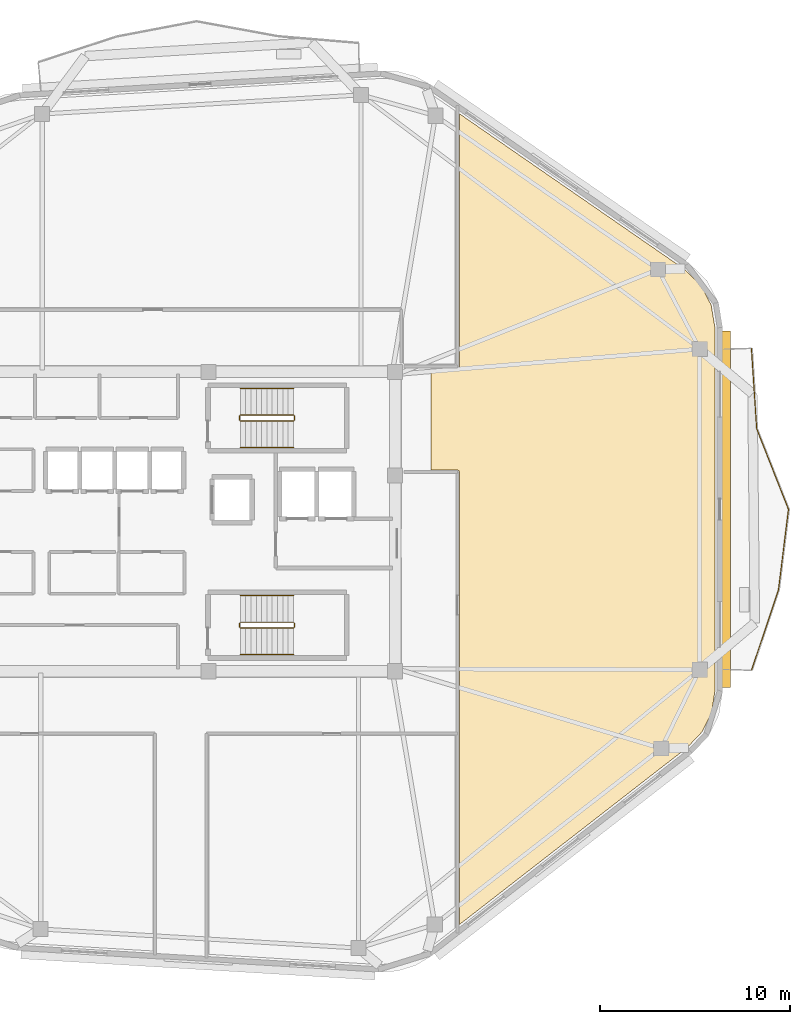
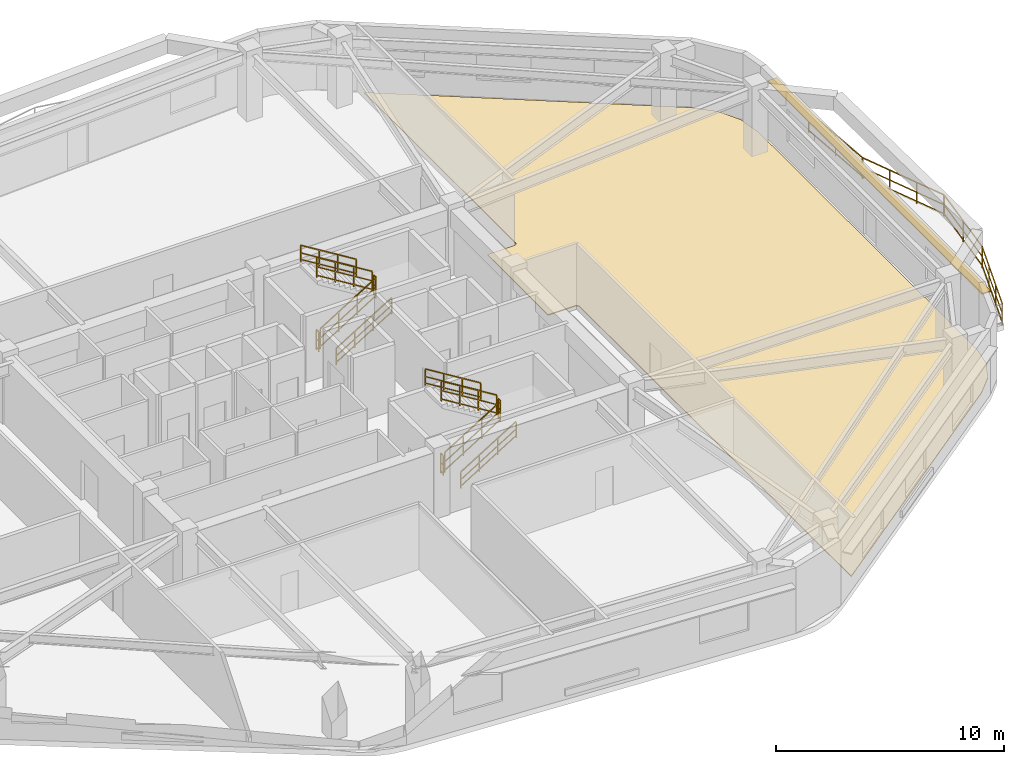
# One storey, part 8 of 9: 16 railings, 1 covering, 1 shading device.
"""IFC4 building model written with IfcOpenShell, lengths in metres."""

from ifc_helpers import new_model, si_unit, direction, frame, origin, origin_2d, place, context, subcontext, project, spatial, polyline, rectangle, outline, extrude, material, layer, layer_set, type_object, element, save


model = new_model("IFC4")

# Units and contexts
model_context = context("Model", 3, precision=1e-05, world=origin(), true_north=direction((0.0, 1.0)))
body_context = subcontext(model_context, "Body", "Model", "MODEL_VIEW")
ifc_project = project(units=[si_unit("LENGTHUNIT", "METRE"), si_unit("AREAUNIT", "SQUARE_METRE"), si_unit("VOLUMEUNIT", "CUBIC_METRE"), si_unit("PLANEANGLEUNIT", "RADIAN"), si_unit("MASSUNIT", "GRAM", prefix="KILO")], contexts=[model_context])

# Site, building, storey
site_placement = place(None, origin())
site = spatial("IfcSite", under=ifc_project, at=site_placement, CompositionType="ELEMENT")
building_placement = place(site_placement, origin())
building = spatial("IfcBuilding", under=site, at=building_placement, Name="Zulverin Broadcast Headquarters", CompositionType="ELEMENT")
storey_placement = place(building_placement, frame((0.0, 0.0, 244.0)))
storey = spatial("IfcBuildingStorey", under=building, at=storey_placement, Name="L62", CompositionType="ELEMENT", Elevation=244.0)

# Covering
ifc_material_1 = material(Name="Anti-static broadcast raised access flooring", Category="stone")
ifc_layer_1 = layer(ifc_material_1, 0.050048828125, Name="Anti-static broadcast raised access flooring", Category="stone")
ifc_layer_set_1 = layer_set([ifc_layer_1], Name="Anti-static broadcast raised access flooring")
covering_type = type_object("IfcCoveringType", Name="COV-FLR-RAISED", PredefinedType="FLOORING", material=ifc_layer_set_1)
covering_placement = place(storey_placement, origin())
element("IfcCovering", 1, at=covering_placement, inside=storey, type_object=covering_type, Name="L62 Broadcast Raised Access Flooring 02", PredefinedType="FLOORING", context=body_context, shape_type="SweptSolid", body=[
    extrude(outline(polyline([(51.60400390625, 33.260009765625), (51.592041015625, 33.251953125), (51.583984375, 33.248046875), (51.575927734375, 33.243896484375), (51.568115234375, 33.239990234375), (51.555908203125, 33.236083984375), (51.548095703125, 33.236083984375), (51.535888671875, 33.23193359375), (51.52392578125, 33.23193359375), (50.156005859375, 33.23193359375), (50.156005859375, 27.919921875), (51.52001953125, 27.919921875), (51.531982421875, 27.919921875), (51.5439453125, 27.916015625), (51.552001953125, 27.916015625), (51.56396484375, 27.912109375), (51.572021484375, 27.907958984375), (51.580078125, 27.904052734375), (51.587890625, 27.89990234375), (51.60009765625, 27.89208984375), (51.60791015625, 27.887939453125), (51.615966796875, 27.8798828125), (51.6240234375, 27.8720703125), (51.632080078125, 27.864013671875), (51.635986328125, 27.85595703125), (51.64794921875, 27.843994140625), (51.652099609375, 27.83203125), (51.659912109375, 27.820068359375), (51.6640625, 27.81201171875), (51.6640625, 27.800048828125), (51.66796875, 27.7919921875), (51.66796875, 27.783935546875), (51.672119140625, 27.77197265625), (51.672119140625, 27.760009765625), (51.672119140625, 4.008056640625), (63.64794921875, 13.31591796875), (64.43603515625, 14.14794921875), (64.927978515625, 15.152099609375), (65.10009765625, 16.2880859375), (65.10009765625, 35.39599609375), (64.904052734375, 36.592041015625), (64.35595703125, 37.64404296875), (63.47607421875, 38.488037109375), (51.66796875, 46.64794921875), (51.672119140625, 33.39208984375), (51.672119140625, 33.3798828125), (51.66796875, 33.367919921875), (51.66796875, 33.360107421875), (51.6640625, 33.35205078125), (51.6640625, 33.343994140625), (51.659912109375, 33.33203125), (51.656005859375, 33.323974609375), (51.652099609375, 33.31591796875), (51.64794921875, 33.30810546875), (51.639892578125, 33.2958984375), (51.635986328125, 33.2880859375), (51.6279296875, 33.280029296875), (51.6201171875, 33.27197265625), (51.612060546875, 33.263916015625), (51.60400390625, 33.260009765625)])), origin(), (0.0, 0.0, 1.0), 0.050048828125),
])

# Railings
ifc_material_2 = material(Name="Brushed stainless steel & laminated glass balustrade", Category="steel")
railing_type_1 = type_object("IfcRailingType", Name="RL-GUARD-1150", PredefinedType="GUARDRAIL", material=ifc_material_2)
railing_1_placement = place(storey_placement, frame((67.02490234375, 17.371826171875, 0.0)))
element("IfcRailing", 2, at=railing_1_placement, inside=storey, type_object=railing_type_1, Name="L62 Vertical-Forest Balcony Guardrail BAL_E Segment 02", PredefinedType="GUARDRAIL", context=body_context, shape_type="SweptSolid", body=[
    extrude(rectangle(XDim=0.048095703125, YDim=0.048095703125, at=origin_2d()), frame((0.0, 0.0, 1.1259765625), z_axis=(0.318204528211, 0.948022087415, 0.0), x_axis=(-0.948022087415, 0.318204528211, 0.0)), (0.0, 0.0, 1.0), 4.444580078125),
    extrude(rectangle(XDim=0.0419921875, YDim=0.0419921875, at=origin_2d()), frame((0.0, 0.0, 0.597900390625), z_axis=(0.318204528211, 0.948022087415, 0.0), x_axis=(-0.948022087415, 0.318204528211, 0.0)), (0.0, 0.0, 1.0), 4.444580078125),
    extrude(rectangle(XDim=0.0419921875, YDim=0.0419921875, at=origin_2d()), frame((0.0, 0.0, 0.1201171875), z_axis=(0.318204528211, 0.948022087415, 0.0), x_axis=(-0.948022087415, 0.318204528211, 0.0)), (0.0, 0.0, 1.0), 4.444580078125),
    extrude(rectangle(XDim=0.0419921875, YDim=0.0419921875, at=origin_2d()), origin(), (0.0, 0.0, 1.0), 1.101806640625),
    extrude(rectangle(XDim=0.0419921875, YDim=0.0419921875, at=origin_2d()), frame((0.471435546875, 1.404541015625, 0.0)), (0.0, 0.0, 1.0), 1.101806640625),
    extrude(rectangle(XDim=0.0419921875, YDim=0.0419921875, at=origin_2d()), frame((0.94287109375, 2.80908203125, 0.0)), (0.0, 0.0, 1.0), 1.101806640625),
    extrude(rectangle(XDim=0.0419921875, YDim=0.0419921875, at=origin_2d()), frame((1.414306640625, 4.213623046875, 0.0)), (0.0, 0.0, 1.0), 1.101806640625),
])
railing_2_placement = place(storey_placement, frame((68.44580078125, 21.614501953125, 0.0)))
element("IfcRailing", 3, at=railing_2_placement, inside=storey, type_object=railing_type_1, Name="L62 Vertical-Forest Balcony Guardrail BAL_E Segment 03", PredefinedType="GUARDRAIL", context=body_context, shape_type="SweptSolid", body=[
    extrude(rectangle(XDim=0.048095703125, YDim=0.048095703125, at=origin_2d()), frame((0.0, 0.0, 1.1259765625), z_axis=(0.123086092071, 0.992395996535, 0.0), x_axis=(-0.992395996535, 0.123086092071, 0.0)), (0.0, 0.0, 1.0), 4.24462890625),
    extrude(rectangle(XDim=0.0419921875, YDim=0.0419921875, at=origin_2d()), frame((0.0, 0.0, 0.597900390625), z_axis=(0.123086092071, 0.992395996535, 0.0), x_axis=(-0.992395996535, 0.123086092071, 0.0)), (0.0, 0.0, 1.0), 4.24462890625),
    extrude(rectangle(XDim=0.0419921875, YDim=0.0419921875, at=origin_2d()), frame((0.0, 0.0, 0.1201171875), z_axis=(0.123086092071, 0.992395996535, 0.0), x_axis=(-0.992395996535, 0.123086092071, 0.0)), (0.0, 0.0, 1.0), 4.24462890625),
    extrude(rectangle(XDim=0.0419921875, YDim=0.0419921875, at=origin_2d()), origin(), (0.0, 0.0, 1.0), 1.101806640625),
    extrude(rectangle(XDim=0.0419921875, YDim=0.0419921875, at=origin_2d()), frame((0.26123046875, 2.106201171875, 0.0)), (0.0, 0.0, 1.0), 1.101806640625),
    extrude(rectangle(XDim=0.0419921875, YDim=0.0419921875, at=origin_2d()), frame((0.5224609375, 4.21240234375, 0.0)), (0.0, 0.0, 1.0), 1.101806640625),
])
railing_3_placement = place(storey_placement, frame((68.964599609375, 25.855712890625, 0.0)))
element("IfcRailing", 4, at=railing_3_placement, inside=storey, type_object=railing_type_1, Name="L62 Vertical-Forest Balcony Guardrail BAL_E Segment 04", PredefinedType="GUARDRAIL", context=body_context, shape_type="SweptSolid", body=[
    extrude(rectangle(XDim=0.048095703125, YDim=0.048095703125, at=origin_2d()), frame((0.0, 0.0, 1.1259765625), z_axis=(-0.36683272189, 0.930286920337, 0.0), x_axis=(-0.930286920337, -0.36683272189, 0.0)), (0.0, 0.0, 1.0), 4.529541015625),
    extrude(rectangle(XDim=0.0419921875, YDim=0.0419921875, at=origin_2d()), frame((0.0, 0.0, 0.597900390625), z_axis=(-0.36683272189, 0.930286920337, 0.0), x_axis=(-0.930286920337, -0.36683272189, 0.0)), (0.0, 0.0, 1.0), 4.529541015625),
    extrude(rectangle(XDim=0.0419921875, YDim=0.0419921875, at=origin_2d()), frame((0.0, 0.0, 0.1201171875), z_axis=(-0.36683272189, 0.930286920337, 0.0), x_axis=(-0.930286920337, -0.36683272189, 0.0)), (0.0, 0.0, 1.0), 4.529541015625),
    extrude(rectangle(XDim=0.0419921875, YDim=0.0419921875, at=origin_2d()), origin(), (0.0, 0.0, 1.0), 1.101806640625),
    extrude(rectangle(XDim=0.0419921875, YDim=0.0419921875, at=origin_2d()), frame((-0.553955078125, 1.404541015625, 0.0)), (0.0, 0.0, 1.0), 1.101806640625),
    extrude(rectangle(XDim=0.0419921875, YDim=0.0419921875, at=origin_2d()), frame((-1.107666015625, 2.809326171875, 0.0)), (0.0, 0.0, 1.0), 1.101806640625),
    extrude(rectangle(XDim=0.0419921875, YDim=0.0419921875, at=origin_2d()), frame((-1.66162109375, 4.2138671875, 0.0)), (0.0, 0.0, 1.0), 1.101806640625),
])
railing_4_placement = place(storey_placement, frame((67.29638671875, 30.0986328125, 0.0)))
element("IfcRailing", 5, at=railing_4_placement, inside=storey, type_object=railing_type_1, Name="L62 Vertical-Forest Balcony Guardrail BAL_E Segment 05", PredefinedType="GUARDRAIL", context=body_context, shape_type="SweptSolid", body=[
    extrude(rectangle(XDim=0.048095703125, YDim=0.048095703125, at=origin_2d()), frame((0.0, 0.0, 1.1259765625), z_axis=(-0.065240645877, 0.997869559675, 0.0), x_axis=(-0.997869559675, -0.065240645877, 0.0)), (0.0, 0.0, 1.0), 4.22119140625),
    extrude(rectangle(XDim=0.0419921875, YDim=0.0419921875, at=origin_2d()), frame((0.0, 0.0, 0.597900390625), z_axis=(-0.065240645877, 0.997869559675, 0.0), x_axis=(-0.997869559675, -0.065240645877, 0.0)), (0.0, 0.0, 1.0), 4.22119140625),
    extrude(rectangle(XDim=0.0419921875, YDim=0.0419921875, at=origin_2d()), frame((0.0, 0.0, 0.1201171875), z_axis=(-0.065240645877, 0.997869559675, 0.0), x_axis=(-0.997869559675, -0.065240645877, 0.0)), (0.0, 0.0, 1.0), 4.22119140625),
    extrude(rectangle(XDim=0.0419921875, YDim=0.0419921875, at=origin_2d()), origin(), (0.0, 0.0, 1.0), 1.101806640625),
    extrude(rectangle(XDim=0.0419921875, YDim=0.0419921875, at=origin_2d()), frame((-0.1376953125, 2.10595703125, 0.0)), (0.0, 0.0, 1.0), 1.101806640625),
    extrude(rectangle(XDim=0.0419921875, YDim=0.0419921875, at=origin_2d()), frame((-0.275390625, 4.212158203125, 0.0)), (0.0, 0.0, 1.0), 1.101806640625),
])
ifc_material_3 = material(Name="Painted galvanized steel tubular guardrail S355JR", Category="steel")
railing_type_2 = type_object("IfcRailingType", Name="RL-ST-GUARD", PredefinedType="GUARDRAIL", material=ifc_material_3)
railing_5_placement = place(storey_placement, frame((40.1298828125, 30.5, 0.172607421875)))
element("IfcRailing", 6, at=railing_5_placement, inside=storey, type_object=railing_type_2, Name="L62 ST-1 stair guard 1", PredefinedType="GUARDRAIL", context=body_context, shape_type="SweptSolid", body=[
    extrude(rectangle(XDim=0.048095703125, YDim=0.048095703125, at=origin_2d()), frame((0.0, 0.0, 1.076171875), z_axis=(0.851089632645, 0.0, 0.525020415988), x_axis=(0.0, 1.0, 0.0)), (0.0, 0.0, 1.0), 3.2900390625),
    extrude(rectangle(XDim=0.0419921875, YDim=0.0419921875, at=origin_2d()), frame((0.0, 0.0, 0.572021484375), z_axis=(0.851089632645, 0.0, 0.525020415988), x_axis=(0.0, 1.0, 0.0)), (0.0, 0.0, 1.0), 3.2900390625),
    extrude(rectangle(XDim=0.0419921875, YDim=0.0419921875, at=origin_2d()), frame((0.0, 0.0, 0.1201171875), z_axis=(0.851089632645, 0.0, 0.525020415988), x_axis=(0.0, 1.0, 0.0)), (0.0, 0.0, 1.0), 3.2900390625),
    extrude(rectangle(XDim=0.0419921875, YDim=0.0419921875, at=origin_2d()), origin(), (0.0, 0.0, 1.0), 1.052001953125),
    extrude(rectangle(XDim=0.0419921875, YDim=0.0419921875, at=origin_2d()), frame((0.933349609375, 0.0, 0.57568359375)), (0.0, 0.0, 1.0), 1.052001953125),
    extrude(rectangle(XDim=0.0419921875, YDim=0.0419921875, at=origin_2d()), frame((1.86669921875, 0.0, 1.151611328125)), (0.0, 0.0, 1.0), 1.052001953125),
    extrude(rectangle(XDim=0.0419921875, YDim=0.0419921875, at=origin_2d()), frame((2.800048828125, 0.0, 1.727294921875)), (0.0, 0.0, 1.0), 1.052001953125),
])
railing_6_placement = place(storey_placement, frame((42.97998046875, 30.550048828125, 1.89990234375)))
element("IfcRailing", 7, at=railing_6_placement, inside=storey, type_object=railing_type_2, Name="L62 ST-1 stair guard 2", PredefinedType="GUARDRAIL", context=body_context, shape_type="SweptSolid", body=[
    extrude(rectangle(XDim=0.048095703125, YDim=0.048095703125, at=origin_2d()), frame((0.0, 0.0, 1.076171875), z_axis=(0.0, 1.0, 0.0), x_axis=(-1.0, 0.0, 0.0)), (0.0, 0.0, 1.0), 0.199951171875),
    extrude(rectangle(XDim=0.0419921875, YDim=0.0419921875, at=origin_2d()), frame((0.0, 0.0, 0.572021484375), z_axis=(0.0, 1.0, 0.0), x_axis=(-1.0, 0.0, 0.0)), (0.0, 0.0, 1.0), 0.199951171875),
    extrude(rectangle(XDim=0.0419921875, YDim=0.0419921875, at=origin_2d()), frame((0.0, 0.0, 0.1201171875), z_axis=(0.0, 1.0, 0.0), x_axis=(-1.0, 0.0, 0.0)), (0.0, 0.0, 1.0), 0.199951171875),
    extrude(rectangle(XDim=0.0419921875, YDim=0.0419921875, at=origin_2d()), origin(), (0.0, 0.0, 1.0), 1.052001953125),
    extrude(rectangle(XDim=0.0419921875, YDim=0.0419921875, at=origin_2d()), frame((0.0, 0.199951171875, 0.0)), (0.0, 0.0, 1.0), 1.052001953125),
])
railing_7_placement = place(storey_placement, frame((42.929931640625, 30.800048828125, 2.07275390625)))
element("IfcRailing", 8, at=railing_7_placement, inside=storey, type_object=railing_type_2, Name="L62 ST-1 stair guard 3", PredefinedType="GUARDRAIL", context=body_context, shape_type="SweptSolid", body=[
    extrude(rectangle(XDim=0.048095703125, YDim=0.048095703125, at=origin_2d()), frame((0.0, 0.0, 1.076171875), z_axis=(-0.851089632645, 0.0, 0.525020415988), x_axis=(0.0, -1.0, 0.0)), (0.0, 0.0, 1.0), 3.2900390625),
    extrude(rectangle(XDim=0.0419921875, YDim=0.0419921875, at=origin_2d()), frame((0.0, 0.0, 0.572021484375), z_axis=(-0.851089632645, 0.0, 0.525020415988), x_axis=(0.0, -1.0, 0.0)), (0.0, 0.0, 1.0), 3.2900390625),
    extrude(rectangle(XDim=0.0419921875, YDim=0.0419921875, at=origin_2d()), frame((0.0, 0.0, 0.1201171875), z_axis=(-0.851089632645, 0.0, 0.525020415988), x_axis=(0.0, -1.0, 0.0)), (0.0, 0.0, 1.0), 3.2900390625),
    extrude(rectangle(XDim=0.0419921875, YDim=0.0419921875, at=origin_2d()), origin(), (0.0, 0.0, 1.0), 1.052001953125),
    extrude(rectangle(XDim=0.0419921875, YDim=0.0419921875, at=origin_2d()), frame((-0.933349609375, 0.0, 0.57568359375)), (0.0, 0.0, 1.0), 1.052001953125),
    extrude(rectangle(XDim=0.0419921875, YDim=0.0419921875, at=origin_2d()), frame((-1.86669921875, 0.0, 1.151611328125)), (0.0, 0.0, 1.0), 1.052001953125),
    extrude(rectangle(XDim=0.0419921875, YDim=0.0419921875, at=origin_2d()), frame((-2.800048828125, 0.0, 1.727294921875)), (0.0, 0.0, 1.0), 1.052001953125),
])
railing_8_placement = place(storey_placement, frame((40.080078125, 30.550048828125, 0.0)))
element("IfcRailing", 9, at=railing_8_placement, inside=storey, type_object=railing_type_2, Name="L62 ST-1 stair guard 4", PredefinedType="GUARDRAIL", context=body_context, shape_type="SweptSolid", body=[
    extrude(rectangle(XDim=0.048095703125, YDim=0.048095703125, at=origin_2d()), frame((0.0, 0.0, 1.076171875), z_axis=(0.0, 1.0, 0.0), x_axis=(-1.0, 0.0, 0.0)), (0.0, 0.0, 1.0), 0.199951171875),
    extrude(rectangle(XDim=0.0419921875, YDim=0.0419921875, at=origin_2d()), frame((0.0, 0.0, 0.572021484375), z_axis=(0.0, 1.0, 0.0), x_axis=(-1.0, 0.0, 0.0)), (0.0, 0.0, 1.0), 0.199951171875),
    extrude(rectangle(XDim=0.0419921875, YDim=0.0419921875, at=origin_2d()), frame((0.0, 0.0, 0.1201171875), z_axis=(0.0, 1.0, 0.0), x_axis=(-1.0, 0.0, 0.0)), (0.0, 0.0, 1.0), 0.199951171875),
    extrude(rectangle(XDim=0.0419921875, YDim=0.0419921875, at=origin_2d()), origin(), (0.0, 0.0, 1.0), 1.052001953125),
    extrude(rectangle(XDim=0.0419921875, YDim=0.0419921875, at=origin_2d()), frame((0.0, 0.199951171875, 0.0)), (0.0, 0.0, 1.0), 1.052001953125),
])
railing_9_placement = place(storey_placement, frame((40.1298828125, 19.60009765625, 0.172607421875)))
element("IfcRailing", 10, at=railing_9_placement, inside=storey, type_object=railing_type_2, Name="L62 ST-2 stair guard 1", PredefinedType="GUARDRAIL", context=body_context, shape_type="SweptSolid", body=[
    extrude(rectangle(XDim=0.048095703125, YDim=0.048095703125, at=origin_2d()), frame((0.0, 0.0, 1.076171875), z_axis=(0.851089632645, 0.0, 0.525020415988), x_axis=(0.0, 1.0, 0.0)), (0.0, 0.0, 1.0), 3.2900390625),
    extrude(rectangle(XDim=0.0419921875, YDim=0.0419921875, at=origin_2d()), frame((0.0, 0.0, 0.572021484375), z_axis=(0.851089632645, 0.0, 0.525020415988), x_axis=(0.0, 1.0, 0.0)), (0.0, 0.0, 1.0), 3.2900390625),
    extrude(rectangle(XDim=0.0419921875, YDim=0.0419921875, at=origin_2d()), frame((0.0, 0.0, 0.1201171875), z_axis=(0.851089632645, 0.0, 0.525020415988), x_axis=(0.0, 1.0, 0.0)), (0.0, 0.0, 1.0), 3.2900390625),
    extrude(rectangle(XDim=0.0419921875, YDim=0.0419921875, at=origin_2d()), origin(), (0.0, 0.0, 1.0), 1.052001953125),
    extrude(rectangle(XDim=0.0419921875, YDim=0.0419921875, at=origin_2d()), frame((0.933349609375, 0.0, 0.57568359375)), (0.0, 0.0, 1.0), 1.052001953125),
    extrude(rectangle(XDim=0.0419921875, YDim=0.0419921875, at=origin_2d()), frame((1.86669921875, 0.0, 1.151611328125)), (0.0, 0.0, 1.0), 1.052001953125),
    extrude(rectangle(XDim=0.0419921875, YDim=0.0419921875, at=origin_2d()), frame((2.800048828125, 0.0, 1.727294921875)), (0.0, 0.0, 1.0), 1.052001953125),
])
railing_10_placement = place(storey_placement, frame((42.97998046875, 19.64990234375, 1.89990234375)))
element("IfcRailing", 11, at=railing_10_placement, inside=storey, type_object=railing_type_2, Name="L62 ST-2 stair guard 2", PredefinedType="GUARDRAIL", context=body_context, shape_type="SweptSolid", body=[
    extrude(rectangle(XDim=0.048095703125, YDim=0.048095703125, at=origin_2d()), frame((0.0, 0.0, 1.076171875), z_axis=(0.0, 1.0, 0.0), x_axis=(-1.0, 0.0, 0.0)), (0.0, 0.0, 1.0), 0.2001953125),
    extrude(rectangle(XDim=0.0419921875, YDim=0.0419921875, at=origin_2d()), frame((0.0, 0.0, 0.572021484375), z_axis=(0.0, 1.0, 0.0), x_axis=(-1.0, 0.0, 0.0)), (0.0, 0.0, 1.0), 0.2001953125),
    extrude(rectangle(XDim=0.0419921875, YDim=0.0419921875, at=origin_2d()), frame((0.0, 0.0, 0.1201171875), z_axis=(0.0, 1.0, 0.0), x_axis=(-1.0, 0.0, 0.0)), (0.0, 0.0, 1.0), 0.2001953125),
    extrude(rectangle(XDim=0.0419921875, YDim=0.0419921875, at=origin_2d()), origin(), (0.0, 0.0, 1.0), 1.052001953125),
    extrude(rectangle(XDim=0.0419921875, YDim=0.0419921875, at=origin_2d()), frame((0.0, 0.2001953125, 0.0)), (0.0, 0.0, 1.0), 1.052001953125),
])
railing_11_placement = place(storey_placement, frame((42.929931640625, 19.89990234375, 2.07275390625)))
element("IfcRailing", 12, at=railing_11_placement, inside=storey, type_object=railing_type_2, Name="L62 ST-2 stair guard 3", PredefinedType="GUARDRAIL", context=body_context, shape_type="SweptSolid", body=[
    extrude(rectangle(XDim=0.048095703125, YDim=0.048095703125, at=origin_2d()), frame((0.0, 0.0, 1.076171875), z_axis=(-0.851089632645, 0.0, 0.525020415988), x_axis=(0.0, -1.0, 0.0)), (0.0, 0.0, 1.0), 3.2900390625),
    extrude(rectangle(XDim=0.0419921875, YDim=0.0419921875, at=origin_2d()), frame((0.0, 0.0, 0.572021484375), z_axis=(-0.851089632645, 0.0, 0.525020415988), x_axis=(0.0, -1.0, 0.0)), (0.0, 0.0, 1.0), 3.2900390625),
    extrude(rectangle(XDim=0.0419921875, YDim=0.0419921875, at=origin_2d()), frame((0.0, 0.0, 0.1201171875), z_axis=(-0.851089632645, 0.0, 0.525020415988), x_axis=(0.0, -1.0, 0.0)), (0.0, 0.0, 1.0), 3.2900390625),
    extrude(rectangle(XDim=0.0419921875, YDim=0.0419921875, at=origin_2d()), origin(), (0.0, 0.0, 1.0), 1.052001953125),
    extrude(rectangle(XDim=0.0419921875, YDim=0.0419921875, at=origin_2d()), frame((-0.933349609375, 0.0, 0.57568359375)), (0.0, 0.0, 1.0), 1.052001953125),
    extrude(rectangle(XDim=0.0419921875, YDim=0.0419921875, at=origin_2d()), frame((-1.86669921875, 0.0, 1.151611328125)), (0.0, 0.0, 1.0), 1.052001953125),
    extrude(rectangle(XDim=0.0419921875, YDim=0.0419921875, at=origin_2d()), frame((-2.800048828125, 0.0, 1.727294921875)), (0.0, 0.0, 1.0), 1.052001953125),
])
railing_12_placement = place(storey_placement, frame((40.080078125, 19.64990234375, 0.0)))
element("IfcRailing", 13, at=railing_12_placement, inside=storey, type_object=railing_type_2, Name="L62 ST-2 stair guard 4", PredefinedType="GUARDRAIL", context=body_context, shape_type="SweptSolid", body=[
    extrude(rectangle(XDim=0.048095703125, YDim=0.048095703125, at=origin_2d()), frame((0.0, 0.0, 1.076171875), z_axis=(0.0, 1.0, 0.0), x_axis=(-1.0, 0.0, 0.0)), (0.0, 0.0, 1.0), 0.2001953125),
    extrude(rectangle(XDim=0.0419921875, YDim=0.0419921875, at=origin_2d()), frame((0.0, 0.0, 0.572021484375), z_axis=(0.0, 1.0, 0.0), x_axis=(-1.0, 0.0, 0.0)), (0.0, 0.0, 1.0), 0.2001953125),
    extrude(rectangle(XDim=0.0419921875, YDim=0.0419921875, at=origin_2d()), frame((0.0, 0.0, 0.1201171875), z_axis=(0.0, 1.0, 0.0), x_axis=(-1.0, 0.0, 0.0)), (0.0, 0.0, 1.0), 0.2001953125),
    extrude(rectangle(XDim=0.0419921875, YDim=0.0419921875, at=origin_2d()), origin(), (0.0, 0.0, 1.0), 1.052001953125),
    extrude(rectangle(XDim=0.0419921875, YDim=0.0419921875, at=origin_2d()), frame((0.0, 0.2001953125, 0.0)), (0.0, 0.0, 1.0), 1.052001953125),
])
ifc_material_4 = material(Name="Brushed stainless steel 48 mm handrail", Category="steel")
railing_type_3 = type_object("IfcRailingType", Name="RL-ST-HAND", PredefinedType="HANDRAIL", material=ifc_material_4)
railing_13_placement = place(storey_placement, frame((40.1298828125, 29.10009765625, 0.172607421875)))
element("IfcRailing", 14, at=railing_13_placement, inside=storey, type_object=railing_type_3, Name="L62 ST-1 stair handrail 1", PredefinedType="HANDRAIL", context=body_context, shape_type="SweptSolid", body=[
    extrude(rectangle(XDim=0.048095703125, YDim=0.048095703125, at=origin_2d()), frame((0.0, 0.0, 0.8759765625), z_axis=(0.851089632645, 0.0, 0.525020415988), x_axis=(0.0, 1.0, 0.0)), (0.0, 0.0, 1.0), 3.2900390625),
    extrude(rectangle(XDim=0.0419921875, YDim=0.0419921875, at=origin_2d()), frame((0.0, 0.0, 0.468017578125), z_axis=(0.851089632645, 0.0, 0.525020415988), x_axis=(0.0, 1.0, 0.0)), (0.0, 0.0, 1.0), 3.2900390625),
    extrude(rectangle(XDim=0.0419921875, YDim=0.0419921875, at=origin_2d()), frame((0.0, 0.0, 0.1201171875), z_axis=(0.851089632645, 0.0, 0.525020415988), x_axis=(0.0, 1.0, 0.0)), (0.0, 0.0, 1.0), 3.2900390625),
    extrude(rectangle(XDim=0.0419921875, YDim=0.0419921875, at=origin_2d()), origin(), (0.0, 0.0, 1.0), 0.851806640625),
    extrude(rectangle(XDim=0.0419921875, YDim=0.0419921875, at=origin_2d()), frame((0.933349609375, 0.0, 0.57568359375)), (0.0, 0.0, 1.0), 0.851806640625),
    extrude(rectangle(XDim=0.0419921875, YDim=0.0419921875, at=origin_2d()), frame((1.86669921875, 0.0, 1.151611328125)), (0.0, 0.0, 1.0), 0.851806640625),
    extrude(rectangle(XDim=0.0419921875, YDim=0.0419921875, at=origin_2d()), frame((2.800048828125, 0.0, 1.727294921875)), (0.0, 0.0, 1.0), 0.851806640625),
])
railing_14_placement = place(storey_placement, frame((42.929931640625, 32.199951171875, 2.07275390625)))
element("IfcRailing", 15, at=railing_14_placement, inside=storey, type_object=railing_type_3, Name="L62 ST-1 stair handrail 2", PredefinedType="HANDRAIL", context=body_context, shape_type="SweptSolid", body=[
    extrude(rectangle(XDim=0.048095703125, YDim=0.048095703125, at=origin_2d()), frame((0.0, 0.0, 0.8759765625), z_axis=(-0.851089632645, 0.0, 0.525020415988), x_axis=(0.0, -1.0, 0.0)), (0.0, 0.0, 1.0), 3.2900390625),
    extrude(rectangle(XDim=0.0419921875, YDim=0.0419921875, at=origin_2d()), frame((0.0, 0.0, 0.468017578125), z_axis=(-0.851089632645, 0.0, 0.525020415988), x_axis=(0.0, -1.0, 0.0)), (0.0, 0.0, 1.0), 3.2900390625),
    extrude(rectangle(XDim=0.0419921875, YDim=0.0419921875, at=origin_2d()), frame((0.0, 0.0, 0.1201171875), z_axis=(-0.851089632645, 0.0, 0.525020415988), x_axis=(0.0, -1.0, 0.0)), (0.0, 0.0, 1.0), 3.2900390625),
    extrude(rectangle(XDim=0.0419921875, YDim=0.0419921875, at=origin_2d()), origin(), (0.0, 0.0, 1.0), 0.851806640625),
    extrude(rectangle(XDim=0.0419921875, YDim=0.0419921875, at=origin_2d()), frame((-0.933349609375, 0.0, 0.57568359375)), (0.0, 0.0, 1.0), 0.851806640625),
    extrude(rectangle(XDim=0.0419921875, YDim=0.0419921875, at=origin_2d()), frame((-1.86669921875, 0.0, 1.151611328125)), (0.0, 0.0, 1.0), 0.851806640625),
    extrude(rectangle(XDim=0.0419921875, YDim=0.0419921875, at=origin_2d()), frame((-2.800048828125, 0.0, 1.727294921875)), (0.0, 0.0, 1.0), 0.851806640625),
])
railing_15_placement = place(storey_placement, frame((40.1298828125, 18.199951171875, 0.172607421875)))
element("IfcRailing", 16, at=railing_15_placement, inside=storey, type_object=railing_type_3, Name="L62 ST-2 stair handrail 1", PredefinedType="HANDRAIL", context=body_context, shape_type="SweptSolid", body=[
    extrude(rectangle(XDim=0.048095703125, YDim=0.048095703125, at=origin_2d()), frame((0.0, 0.0, 0.8759765625), z_axis=(0.851089632645, 0.0, 0.525020415988), x_axis=(0.0, 1.0, 0.0)), (0.0, 0.0, 1.0), 3.2900390625),
    extrude(rectangle(XDim=0.0419921875, YDim=0.0419921875, at=origin_2d()), frame((0.0, 0.0, 0.468017578125), z_axis=(0.851089632645, 0.0, 0.525020415988), x_axis=(0.0, 1.0, 0.0)), (0.0, 0.0, 1.0), 3.2900390625),
    extrude(rectangle(XDim=0.0419921875, YDim=0.0419921875, at=origin_2d()), frame((0.0, 0.0, 0.1201171875), z_axis=(0.851089632645, 0.0, 0.525020415988), x_axis=(0.0, 1.0, 0.0)), (0.0, 0.0, 1.0), 3.2900390625),
    extrude(rectangle(XDim=0.0419921875, YDim=0.0419921875, at=origin_2d()), origin(), (0.0, 0.0, 1.0), 0.851806640625),
    extrude(rectangle(XDim=0.0419921875, YDim=0.0419921875, at=origin_2d()), frame((0.933349609375, 0.0, 0.57568359375)), (0.0, 0.0, 1.0), 0.851806640625),
    extrude(rectangle(XDim=0.0419921875, YDim=0.0419921875, at=origin_2d()), frame((1.86669921875, 0.0, 1.151611328125)), (0.0, 0.0, 1.0), 0.851806640625),
    extrude(rectangle(XDim=0.0419921875, YDim=0.0419921875, at=origin_2d()), frame((2.800048828125, 0.0, 1.727294921875)), (0.0, 0.0, 1.0), 0.851806640625),
])
railing_16_placement = place(storey_placement, frame((42.929931640625, 21.300048828125, 2.07275390625)))
element("IfcRailing", 17, at=railing_16_placement, inside=storey, type_object=railing_type_3, Name="L62 ST-2 stair handrail 2", PredefinedType="HANDRAIL", context=body_context, shape_type="SweptSolid", body=[
    extrude(rectangle(XDim=0.048095703125, YDim=0.048095703125, at=origin_2d()), frame((0.0, 0.0, 0.8759765625), z_axis=(-0.851089632645, 0.0, 0.525020415988), x_axis=(0.0, -1.0, 0.0)), (0.0, 0.0, 1.0), 3.2900390625),
    extrude(rectangle(XDim=0.0419921875, YDim=0.0419921875, at=origin_2d()), frame((0.0, 0.0, 0.468017578125), z_axis=(-0.851089632645, 0.0, 0.525020415988), x_axis=(0.0, -1.0, 0.0)), (0.0, 0.0, 1.0), 3.2900390625),
    extrude(rectangle(XDim=0.0419921875, YDim=0.0419921875, at=origin_2d()), frame((0.0, 0.0, 0.1201171875), z_axis=(-0.851089632645, 0.0, 0.525020415988), x_axis=(0.0, -1.0, 0.0)), (0.0, 0.0, 1.0), 3.2900390625),
    extrude(rectangle(XDim=0.0419921875, YDim=0.0419921875, at=origin_2d()), origin(), (0.0, 0.0, 1.0), 0.851806640625),
    extrude(rectangle(XDim=0.0419921875, YDim=0.0419921875, at=origin_2d()), frame((-0.933349609375, 0.0, 0.57568359375)), (0.0, 0.0, 1.0), 0.851806640625),
    extrude(rectangle(XDim=0.0419921875, YDim=0.0419921875, at=origin_2d()), frame((-1.86669921875, 0.0, 1.151611328125)), (0.0, 0.0, 1.0), 0.851806640625),
    extrude(rectangle(XDim=0.0419921875, YDim=0.0419921875, at=origin_2d()), frame((-2.800048828125, 0.0, 1.727294921875)), (0.0, 0.0, 1.0), 0.851806640625),
])

# Shading device
ifc_material_5 = material(Name="Anodized pale-metal aluminium sunshade", Category="aluminium")
ifc_layer_2 = layer(ifc_material_5, 0.06005859375, Name="Anodized pale-metal aluminium sunshade", Category="aluminium")
ifc_layer_set_2 = layer_set([ifc_layer_2], Name="Anodized pale-metal aluminium sunshade")
shading_device_type = type_object("IfcShadingDeviceType", Name="SS-01_PALE_METAL_ALUMINIUM_SUNSHADE", PredefinedType="USERDEFINED", material=ifc_layer_set_2)
shading_device_placement = place(storey_placement, frame((65.699951171875, 25.841796875, 2.7099609375), z_axis=(0.0, 0.0, 1.0), x_axis=(0.0, 1.0, 0.0)))
element("IfcShadingDevice", 18, at=shading_device_placement, inside=storey, type_object=shading_device_type, Name="L62 Horizontal Pale-Metal Sunshade Band 3", ObjectType="SUNSHADE", PredefinedType="USERDEFINED", context=body_context, shape_type="SweptSolid", body=[
    extrude(rectangle(XDim=18.76806640625, YDim=0.449951171875, at=origin_2d()), origin(), (0.0, 0.0, 1.0), 0.06005859375),
])

save(model, "model.ifc")
